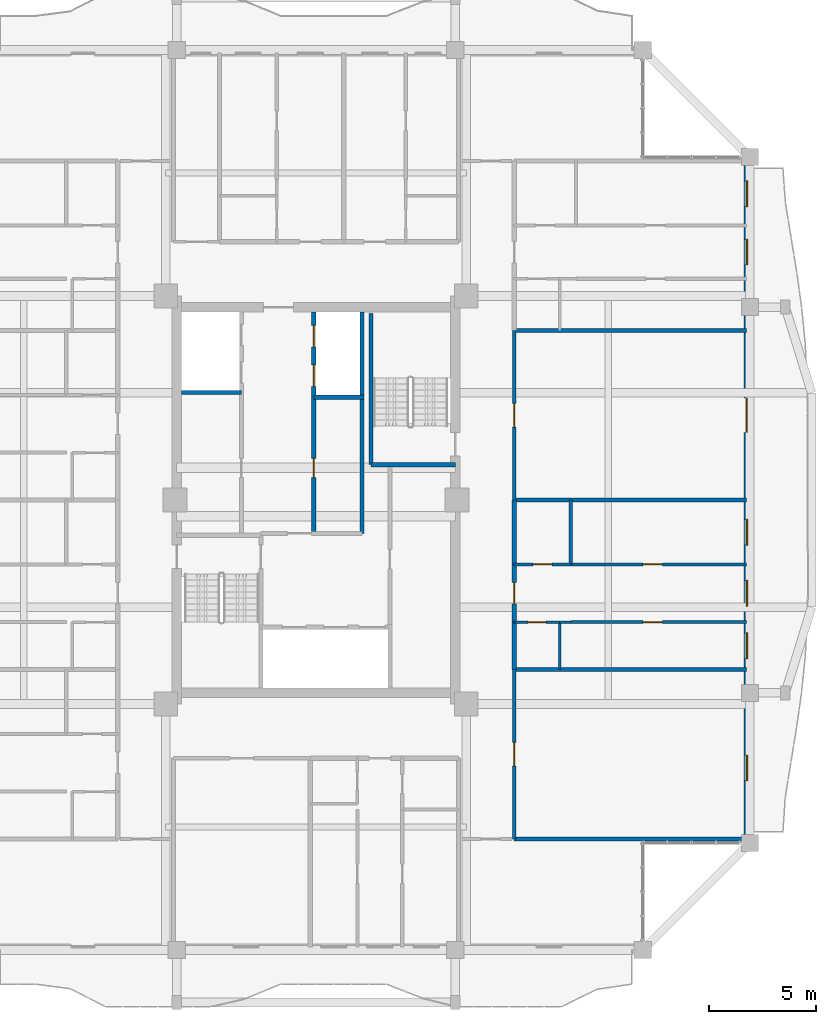
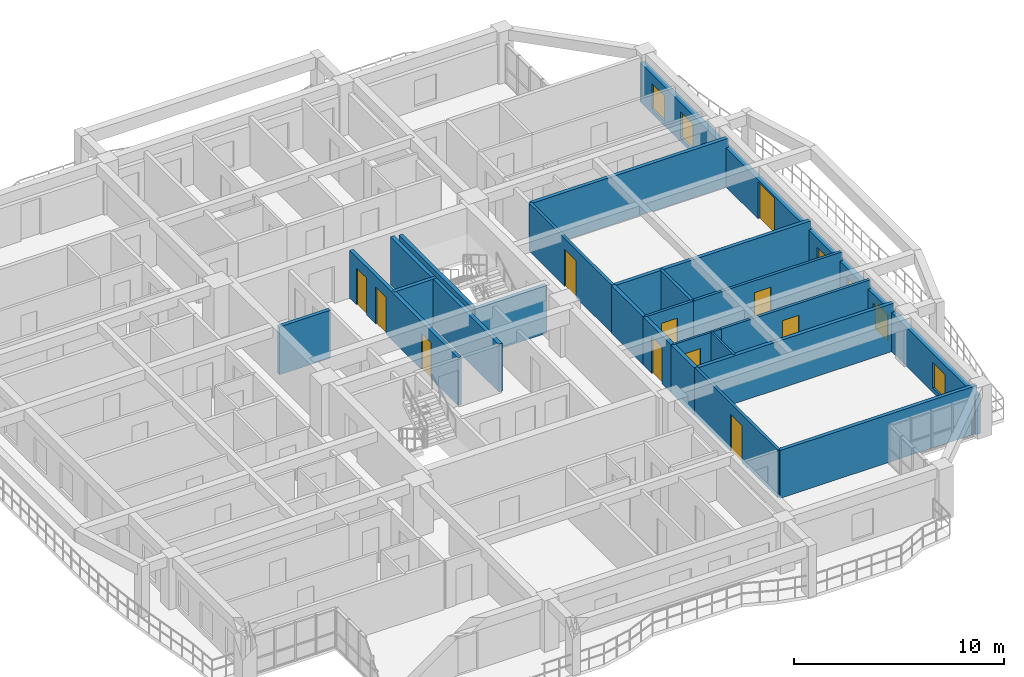
# One storey, part 13 of 21: 24 walls, 11 doors, 6 windows, 17 openings.
"""IFC4 building model written with IfcOpenShell, lengths in metres."""

from ifc_helpers import new_model, si_unit, direction, frame, frame_2d, origin, place, context, subcontext, project, spatial, rectangle, extrude, source, transform, mapped, material, layer, layer_set, type_object, element, fill, save


model = new_model("IFC4")

# Units and contexts
model_context = context("Model", 3, precision=1e-05, world=origin(), true_north=direction((0.0, 1.0)))
body_context = subcontext(model_context, "Body", "Model", "MODEL_VIEW")
ifc_project = project(units=[si_unit("LENGTHUNIT", "METRE"), si_unit("AREAUNIT", "SQUARE_METRE"), si_unit("VOLUMEUNIT", "CUBIC_METRE"), si_unit("PLANEANGLEUNIT", "RADIAN"), si_unit("MASSUNIT", "GRAM", prefix="KILO")], contexts=[model_context])

# Site, building, storey
site_placement = place(None, origin())
site = spatial("IfcSite", under=ifc_project, at=site_placement, CompositionType="ELEMENT")
building_placement = place(site_placement, origin())
building = spatial("IfcBuilding", under=site, at=building_placement, Name="Saelheon Loggia Tower", CompositionType="ELEMENT")
storey_placement = place(building_placement, frame((0.0, 0.0, 186.699951171875)))
storey = spatial("IfcBuildingStorey", under=building, at=storey_placement, Name="L58", CompositionType="ELEMENT", Elevation=186.699951171875)

# Wall, openings, windows, door
ifc_material_1 = material(Name="Architectural Precast Concrete C40/50", Category="concrete")
ifc_layer_1 = layer(ifc_material_1, 0.280029296875)
ifc_layer_set_1 = layer_set([ifc_layer_1], Name="Architectural Precast Concrete C40/50")
wall_type_1 = type_object("IfcWallType", Name="Wall_Ext_Loggia_280", PredefinedType="SOLIDWALL", material=ifc_layer_set_1)
wall_1_placement = place(storey_placement, frame((58.110107421875, 11.0, 0.0), z_axis=(0.0, 0.0, 1.0), x_axis=(0.0, 1.0, 0.0)))
wall_1 = element("IfcWall", 1, at=wall_1_placement, inside=storey, type_object=wall_type_1, Name="L58 East Loggia Inner Wall", PredefinedType="SOLIDWALL", context=body_context, shape_type="SweptSolid", body=[
    extrude(rectangle(XDim=32.0, YDim=0.280029296875, at=frame_2d((16.0, 0.0))), origin(), (0.0, 0.0, 1.0), 2.280029296875),
])
opening_1_placement = place(wall_1_placement, frame((2.89990234375, 0.0, 0.25)))
opening_1 = element("IfcOpeningElement", 2, at=opening_1_placement, cuts=wall_1, Name="Opening WN-03", PredefinedType="OPENING", context=body_context, shape_type="SweptSolid", body=[
    extrude(rectangle(XDim=1.199951171875, YDim=1.5, at=frame_2d((0.60009765625, 0.75))), frame((0.0, 0.152099609375, 0.0), z_axis=(0.0, -1.0, 0.0), x_axis=(1.0, 0.0, 0.0)), (0.0, 0.0, 1.0), 0.303955078125),
])
opening_2_placement = place(wall_1_placement, frame((8.597412109375, 0.0, 0.25)))
opening_2 = element("IfcOpeningElement", 3, at=opening_2_placement, cuts=wall_1, Name="Opening WN-03", PredefinedType="OPENING", context=body_context, shape_type="SweptSolid", body=[
    extrude(rectangle(XDim=1.199951171875, YDim=1.5, at=frame_2d((0.60009765625, 0.75))), frame((0.0, 0.152099609375, 0.0), z_axis=(0.0, -1.0, 0.0), x_axis=(1.0, 0.0, 0.0)), (0.0, 0.0, 1.0), 0.303955078125),
])
opening_3_placement = place(wall_1_placement, frame((11.049560546875, 0.0, 0.25)))
opening_3 = element("IfcOpeningElement", 4, at=opening_3_placement, cuts=wall_1, Name="Opening WN-03", PredefinedType="OPENING", context=body_context, shape_type="SweptSolid", body=[
    extrude(rectangle(XDim=1.199951171875, YDim=1.5, at=frame_2d((0.60009765625, 0.75))), frame((0.0, 0.152099609375, 0.0), z_axis=(0.0, -1.0, 0.0), x_axis=(1.0, 0.0, 0.0)), (0.0, 0.0, 1.0), 0.303955078125),
])
opening_4_placement = place(wall_1_placement, frame((13.897216796875, 0.0, 0.25)))
opening_4 = element("IfcOpeningElement", 5, at=opening_4_placement, cuts=wall_1, Name="Opening WN-03", PredefinedType="OPENING", context=body_context, shape_type="SweptSolid", body=[
    extrude(rectangle(XDim=1.199951171875, YDim=1.5, at=frame_2d((0.60009765625, 0.75))), frame((0.0, 0.152099609375, 0.0), z_axis=(0.0, -1.0, 0.0), x_axis=(1.0, 0.0, 0.0)), (0.0, 0.0, 1.0), 0.303955078125),
])
opening_5_placement = place(wall_1_placement, frame((20.755126953125, 0.0, 0.0), z_axis=(0.0, 0.0, 1.0), x_axis=(-1.0, 0.0, 0.0)))
opening_5 = element("IfcOpeningElement", 6, at=opening_5_placement, cuts=wall_1, Name="Opening DLG-1", PredefinedType="OPENING", context=body_context, shape_type="SweptSolid", body=[
    extrude(rectangle(XDim=1.60009765625, YDim=2.14990234375, at=frame_2d((0.800048828125, 1.074951171875))), frame((0.0, 0.152099609375, 0.0), z_axis=(0.0, -1.0, 0.0), x_axis=(1.0, 0.0, 0.0)), (0.0, 0.0, 1.0), 0.303955078125),
])
opening_6_placement = place(wall_1_placement, frame((26.967041015625, 0.0, 0.25)))
opening_6 = element("IfcOpeningElement", 7, at=opening_6_placement, cuts=wall_1, Name="Opening WN-03", PredefinedType="OPENING", context=body_context, shape_type="SweptSolid", body=[
    extrude(rectangle(XDim=1.199951171875, YDim=1.5, at=frame_2d((0.60009765625, 0.75))), frame((0.0, 0.152099609375, 0.0), z_axis=(0.0, -1.0, 0.0), x_axis=(1.0, 0.0, 0.0)), (0.0, 0.0, 1.0), 0.303955078125),
])
opening_7_placement = place(wall_1_placement, frame((29.68701171875, 0.0, 0.25)))
opening_7 = element("IfcOpeningElement", 8, at=opening_7_placement, cuts=wall_1, Name="Opening WN-03", PredefinedType="OPENING", context=body_context, shape_type="SweptSolid", body=[
    extrude(rectangle(XDim=1.199951171875, YDim=1.5, at=frame_2d((0.60009765625, 0.75))), frame((0.0, 0.152099609375, 0.0), z_axis=(0.0, -1.0, 0.0), x_axis=(1.0, 0.0, 0.0)), (0.0, 0.0, 1.0), 0.303955078125),
])
ifc_material_2 = material(Name="Thermal-Break Aluminium and Triple Low-E Glass", Category="aluminium")
window_type = type_object("IfcWindowType", Name="Win_Bedroom_1200x1500", PartitioningType="SINGLE_PANEL", PredefinedType="WINDOW", material=ifc_material_2)
shared_shape_1 = source(origin(), body_context, "Body", "SweptSolid", [
    extrude(rectangle(XDim=1.199951171875, YDim=1.5, at=frame_2d((0.60009765625, 0.75))), frame((0.0, 0.030029296875, 0.0), z_axis=(0.0, -1.0, 0.0), x_axis=(1.0, 0.0, 0.0)), (0.0, 0.0, 1.0), 0.06005859375),
])
window_1_placement = place(opening_1_placement, origin())
window_1 = element("IfcWindow", 9, at=window_1_placement, inside=storey, type_object=window_type, Name="L58 E Dwelling Window 1", OverallHeight=1.5, OverallWidth=1.199951171875, PartitioningType="SINGLE_PANEL", PredefinedType="WINDOW", context=body_context, shape_type="MappedRepresentation", body=[
    mapped(shared_shape_1, transform((0.0, 0.0, 0.0), scale=1.0)),
])
fill(opening_1, window_1)
window_2_placement = place(opening_2_placement, origin())
window_2 = element("IfcWindow", 10, at=window_2_placement, inside=storey, type_object=window_type, Name="L58 E Dwelling Window 2", OverallHeight=1.5, OverallWidth=1.199951171875, PartitioningType="SINGLE_PANEL", PredefinedType="WINDOW", context=body_context, shape_type="MappedRepresentation", body=[
    mapped(shared_shape_1, transform((0.0, 0.0, 0.0), scale=1.0)),
])
fill(opening_2, window_2)
window_3_placement = place(opening_3_placement, origin())
window_3 = element("IfcWindow", 11, at=window_3_placement, inside=storey, type_object=window_type, Name="L58 E Dwelling Window 3", OverallHeight=1.5, OverallWidth=1.199951171875, PartitioningType="SINGLE_PANEL", PredefinedType="WINDOW", context=body_context, shape_type="MappedRepresentation", body=[
    mapped(shared_shape_1, transform((0.0, 0.0, 0.0), scale=1.0)),
])
fill(opening_3, window_3)
window_4_placement = place(opening_4_placement, origin())
window_4 = element("IfcWindow", 12, at=window_4_placement, inside=storey, type_object=window_type, Name="L58 E Dwelling Window 4", OverallHeight=1.5, OverallWidth=1.199951171875, PartitioningType="SINGLE_PANEL", PredefinedType="WINDOW", context=body_context, shape_type="MappedRepresentation", body=[
    mapped(shared_shape_1, transform((0.0, 0.0, 0.0), scale=1.0)),
])
fill(opening_4, window_4)
window_5_placement = place(opening_6_placement, origin())
window_5 = element("IfcWindow", 13, at=window_5_placement, inside=storey, type_object=window_type, Name="L58 E Dwelling Window 6", OverallHeight=1.5, OverallWidth=1.199951171875, PartitioningType="SINGLE_PANEL", PredefinedType="WINDOW", context=body_context, shape_type="MappedRepresentation", body=[
    mapped(shared_shape_1, transform((0.0, 0.0, 0.0), scale=1.0)),
])
fill(opening_6, window_5)
window_6_placement = place(opening_7_placement, origin())
window_6 = element("IfcWindow", 14, at=window_6_placement, inside=storey, type_object=window_type, Name="L58 E Dwelling Window 7", OverallHeight=1.5, OverallWidth=1.199951171875, PartitioningType="SINGLE_PANEL", PredefinedType="WINDOW", context=body_context, shape_type="MappedRepresentation", body=[
    mapped(shared_shape_1, transform((0.0, 0.0, 0.0), scale=1.0)),
])
fill(opening_7, window_6)
ifc_material_3 = material(Name="Thermal-Break Aluminium Sliding Glazed Door", Category="aluminium")
door_type_1 = type_object("IfcDoorType", Name="Door_LoggiaSlide_1600", OperationType="SLIDING_TO_LEFT", PredefinedType="DOOR", material=ifc_material_3)
shared_shape_2 = source(origin(), body_context, "Body", "SweptSolid", [
    extrude(rectangle(XDim=1.60009765625, YDim=2.14990234375, at=frame_2d((0.800048828125, 1.074951171875))), frame((0.0, 0.02490234375, 0.0), z_axis=(0.0, -1.0, 0.0), x_axis=(1.0, 0.0, 0.0)), (0.0, 0.0, 1.0), 0.050048828125),
])
door_1_placement = place(opening_5_placement, origin())
door_1 = element("IfcDoor", 15, at=door_1_placement, inside=storey, type_object=door_type_1, Name="L58 E Loggia Access Door", OperationType="SLIDING_TO_LEFT", OverallHeight=2.14990234375, OverallWidth=1.60009765625, PredefinedType="DOOR", context=body_context, shape_type="MappedRepresentation", body=[
    mapped(shared_shape_2, transform((0.0, 0.0, 0.0), scale=1.0)),
])
fill(opening_5, door_1)

# Wall, opening, door
ifc_material_4 = material(Name="Lightweight Autoclaved Aerated Concrete Block and Acoustic Gypsum", Category="concrete")
ifc_layer_2 = layer(ifc_material_4, 0.14990234375)
ifc_layer_set_2 = layer_set([ifc_layer_2], Name="Lightweight Autoclaved Aerated Concrete Block and Acoustic Gypsum")
wall_type_2 = type_object("IfcWallType", Name="Wall_Part_150", PredefinedType="PARTITIONING", material=ifc_layer_set_2)
wall_2_placement = place(storey_placement, frame((47.25, 11.179931640625, 0.0), z_axis=(0.0, 0.0, 1.0), x_axis=(0.0, 1.0, 0.0)))
wall_2 = element("IfcWall", 16, at=wall_2_placement, inside=storey, type_object=wall_type_2, Name="L58 E Partition V03", PredefinedType="PARTITIONING", context=body_context, shape_type="SweptSolid", body=[
    extrude(rectangle(XDim=7.91015625, YDim=0.14990234375, at=frame_2d((3.955078125, 0.0))), origin(), (0.0, 0.0, 1.0), 2.7900390625),
])
opening_8_placement = place(wall_2_placement, frame((3.405029296875, 0.0, 0.0)))
opening_8 = element("IfcOpeningElement", 17, at=opening_8_placement, cuts=wall_2, Name="Opening D-FD2", PredefinedType="OPENING", context=body_context, shape_type="SweptSolid", body=[
    extrude(rectangle(XDim=1.10009765625, YDim=2.14990234375, at=frame_2d((0.550048828125, 1.074951171875))), frame((0.0, 0.0869140625, 0.0), z_axis=(0.0, -1.0, 0.0), x_axis=(1.0, 0.0, 0.0)), (0.0, 0.0, 1.0), 0.173828125),
])
ifc_material_5 = material(Name="Galvanised Steel Fire Door", Category="steel")
door_type_2 = type_object("IfcDoorType", Name="Door_Fire_FD60_1100", OperationType="NOTDEFINED", PredefinedType="DOOR", material=ifc_material_5)
shared_shape_3 = source(origin(), body_context, "Body", "SweptSolid", [
    extrude(rectangle(XDim=1.10009765625, YDim=2.14990234375, at=frame_2d((0.550048828125, 1.074951171875))), frame((0.0, 0.02490234375, 0.0), z_axis=(0.0, -1.0, 0.0), x_axis=(1.0, 0.0, 0.0)), (0.0, 0.0, 1.0), 0.050048828125),
])
door_2_placement = place(opening_8_placement, origin())
door_2 = element("IfcDoor", 18, at=door_2_placement, inside=storey, type_object=door_type_2, Name="L58 Community Reading Library Door A", OperationType="SINGLE_SWING_RIGHT", OverallHeight=2.14990234375, OverallWidth=1.10009765625, PredefinedType="DOOR", context=body_context, shape_type="MappedRepresentation", body=[
    mapped(shared_shape_3, transform((0.0, 0.0, 0.0), scale=1.0)),
])
fill(opening_8, door_2)

# Wall
wall_3_placement = place(storey_placement, frame((49.889892578125, 23.994140625, 0.0), z_axis=(0.0, 0.0, 1.0), x_axis=(0.0, 1.0, 0.0)))
element("IfcWall", 19, at=wall_3_placement, inside=storey, type_object=wall_type_2, Name="L58 E Partition V09", PredefinedType="PARTITIONING", context=body_context, shape_type="SweptSolid", body=[
    extrude(rectangle(XDim=3.005859375, YDim=0.14990234375, at=frame_2d((1.5029296875, 0.0))), origin(), (0.0, 0.0, 1.0), 2.7900390625),
])

# Wall, opening, door
wall_4_placement = place(storey_placement, frame((49.889892578125, 21.3046875, 0.0), z_axis=(0.0, 0.0, 1.0), x_axis=(1.0, 0.0, 0.0)))
wall_4 = element("IfcWall", 20, at=wall_4_placement, inside=storey, type_object=wall_type_2, Name="L58 E Partition U12", PredefinedType="PARTITIONING", context=body_context, shape_type="SweptSolid", body=[
    extrude(rectangle(XDim=8.210205078125, YDim=0.14990234375, at=frame_2d((4.10498046875, 0.0))), origin(), (0.0, 0.0, 1.0), 2.7900390625),
])
opening_9_placement = place(wall_4_placement, frame((3.370361328125, 0.0, 0.0)))
opening_9 = element("IfcOpeningElement", 21, at=opening_9_placement, cuts=wall_4, Name="Opening D-IN2", PredefinedType="OPENING", context=body_context, shape_type="SweptSolid", body=[
    extrude(rectangle(XDim=0.89990234375, YDim=2.10009765625, at=frame_2d((0.449951171875, 1.050048828125))), frame((0.0, 0.0869140625, 0.0), z_axis=(0.0, -1.0, 0.0), x_axis=(1.0, 0.0, 0.0)), (0.0, 0.0, 1.0), 0.173828125),
])
ifc_material_6 = material(Name="Engineered Oak Flush Door", Category="timber")
door_type_3 = type_object("IfcDoorType", Name="Door_Int_900", OperationType="NOTDEFINED", PredefinedType="DOOR", material=ifc_material_6)
shared_shape_4 = source(origin(), body_context, "Body", "SweptSolid", [
    extrude(rectangle(XDim=0.89990234375, YDim=2.10009765625, at=frame_2d((0.449951171875, 1.050048828125))), frame((0.0, 0.02490234375, 0.0), z_axis=(0.0, -1.0, 0.0), x_axis=(1.0, 0.0, 0.0)), (0.0, 0.0, 1.0), 0.050048828125),
])
door_3_placement = place(opening_9_placement, origin())
door_3 = element("IfcDoor", 22, at=door_3_placement, inside=storey, type_object=door_type_3, Name="Unit U08 Kitchen Door", OperationType="SINGLE_SWING_LEFT", OverallHeight=2.10009765625, OverallWidth=0.89990234375, PredefinedType="DOOR", context=body_context, shape_type="MappedRepresentation", body=[
    mapped(shared_shape_4, transform((0.0, 0.0, 0.0), scale=1.0)),
])
fill(opening_9, door_3)

wall_5_placement = place(storey_placement, frame((47.25, 23.994140625, 0.0), z_axis=(0.0, 0.0, 1.0), x_axis=(1.0, 0.0, 0.0)))
wall_5 = element("IfcWall", 23, at=wall_5_placement, inside=storey, type_object=wall_type_2, Name="L58 E Partition U13", PredefinedType="PARTITIONING", context=body_context, shape_type="SweptSolid", body=[
    extrude(rectangle(XDim=2.639892578125, YDim=0.14990234375, at=frame_2d((1.31982421875, 0.0))), origin(), (0.0, 0.0, 1.0), 2.7900390625),
])
opening_10_placement = place(wall_5_placement, frame((0.8701171875, 0.0, 0.0)))
opening_10 = element("IfcOpeningElement", 24, at=opening_10_placement, cuts=wall_5, Name="Opening D-IN2", PredefinedType="OPENING", context=body_context, shape_type="SweptSolid", body=[
    extrude(rectangle(XDim=0.89990234375, YDim=2.10009765625, at=frame_2d((0.449951171875, 1.050048828125))), frame((0.0, 0.0869140625, 0.0), z_axis=(0.0, -1.0, 0.0), x_axis=(1.0, 0.0, 0.0)), (0.0, 0.0, 1.0), 0.173828125),
])
door_4_placement = place(opening_10_placement, origin())
door_4 = element("IfcDoor", 25, at=door_4_placement, inside=storey, type_object=door_type_3, Name="Unit U08 Dressing Closet Door", OperationType="SINGLE_SWING_RIGHT", OverallHeight=2.10009765625, OverallWidth=0.89990234375, PredefinedType="DOOR", context=body_context, shape_type="MappedRepresentation", body=[
    mapped(shared_shape_4, transform((0.0, 0.0, 0.0), scale=1.0)),
])
fill(opening_10, door_4)

wall_6_placement = place(storey_placement, frame((49.889892578125, 23.994140625, 0.0), z_axis=(0.0, 0.0, 1.0), x_axis=(1.0, 0.0, 0.0)))
wall_6 = element("IfcWall", 26, at=wall_6_placement, inside=storey, type_object=wall_type_2, Name="L58 E Partition U14", PredefinedType="PARTITIONING", context=body_context, shape_type="SweptSolid", body=[
    extrude(rectangle(XDim=8.210205078125, YDim=0.14990234375, at=frame_2d((4.10498046875, 0.0))), origin(), (0.0, 0.0, 1.0), 2.7900390625),
])
opening_11_placement = place(wall_6_placement, frame((3.370361328125, 0.0, 0.0)))
opening_11 = element("IfcOpeningElement", 27, at=opening_11_placement, cuts=wall_6, Name="Opening D-IN2", PredefinedType="OPENING", context=body_context, shape_type="SweptSolid", body=[
    extrude(rectangle(XDim=0.89990234375, YDim=2.10009765625, at=frame_2d((0.449951171875, 1.050048828125))), frame((0.0, 0.0869140625, 0.0), z_axis=(0.0, -1.0, 0.0), x_axis=(1.0, 0.0, 0.0)), (0.0, 0.0, 1.0), 0.173828125),
])
door_5_placement = place(opening_11_placement, origin())
door_5 = element("IfcDoor", 28, at=door_5_placement, inside=storey, type_object=door_type_3, Name="Unit U08 Bedroom 1 Door", OperationType="SINGLE_SWING_LEFT", OverallHeight=2.10009765625, OverallWidth=0.89990234375, PredefinedType="DOOR", context=body_context, shape_type="MappedRepresentation", body=[
    mapped(shared_shape_4, transform((0.0, 0.0, 0.0), scale=1.0)),
])
fill(opening_11, door_5)

wall_7_placement = place(storey_placement, frame((47.25, 27.0, 0.0), z_axis=(0.0, 0.0, 1.0), x_axis=(0.0, 1.0, 0.0)))
wall_7 = element("IfcWall", 29, at=wall_7_placement, inside=storey, type_object=wall_type_2, Name="L58 E Partition V16", PredefinedType="PARTITIONING", context=body_context, shape_type="SweptSolid", body=[
    extrude(rectangle(XDim=7.909912109375, YDim=0.14990234375, at=frame_2d((3.955078125, 0.0))), origin(), (0.0, 0.0, 1.0), 2.7900390625),
])
opening_12_placement = place(wall_7_placement, frame((3.405029296875, 0.0, 0.0)))
opening_12 = element("IfcOpeningElement", 30, at=opening_12_placement, cuts=wall_7, Name="Opening D-FD2", PredefinedType="OPENING", context=body_context, shape_type="SweptSolid", body=[
    extrude(rectangle(XDim=1.10009765625, YDim=2.14990234375, at=frame_2d((0.550048828125, 1.074951171875))), frame((0.0, 0.0869140625, 0.0), z_axis=(0.0, -1.0, 0.0), x_axis=(1.0, 0.0, 0.0)), (0.0, 0.0, 1.0), 0.173828125),
])
door_6_placement = place(opening_12_placement, origin())
door_6 = element("IfcDoor", 31, at=door_6_placement, inside=storey, type_object=door_type_2, Name="L58 Community Reading Library Door A", OperationType="SINGLE_SWING_RIGHT", OverallHeight=2.14990234375, OverallWidth=1.10009765625, PredefinedType="DOOR", context=body_context, shape_type="MappedRepresentation", body=[
    mapped(shared_shape_3, transform((0.0, 0.0, 0.0), scale=1.0)),
])
fill(opening_12, door_6)

# Walls
ifc_material_7 = material(Name="Double Acoustic Stud and Fireboard Partition", Category="gypsum")
ifc_layer_3 = layer(ifc_material_7, 0.199951171875)
ifc_layer_set_3 = layer_set([ifc_layer_3], Name="Double Acoustic Stud and Fireboard Partition")
wall_type_3 = type_object("IfcWallType", Name="Wall_Party_200", PredefinedType="PARTITIONING", material=ifc_layer_set_3)
for number, where, z_axis, x_axis, name in (
    (32, (47.25, 11.179931640625, 0.0), (0.0, 0.0, 1.0), (1.0, 0.0, 0.0), "L58 E Partition U01"),
    (33, (47.25, 19.090087890625, 0.0), (0.0, 0.0, 1.0), (1.0, 0.0, 0.0), "L58 E Partition U04"),
):
    element("IfcWall", number, at=place(storey_placement, frame(where, z_axis=z_axis, x_axis=x_axis)), inside=storey, type_object=wall_type_3, Name=name, PredefinedType="PARTITIONING", context=body_context, shape_type="SweptSolid", body=[
        extrude(rectangle(XDim=10.85009765625, YDim=0.199951171875, at=frame_2d((5.425048828125, 0.0))), origin(), (0.0, 0.0, 1.0), 2.7900390625),
    ])
wall_8_placement = place(storey_placement, frame((47.25, 19.090087890625, 0.0), z_axis=(0.0, 0.0, 1.0), x_axis=(0.0, 1.0, 0.0)))
element("IfcWall", 34, at=wall_8_placement, inside=storey, type_object=wall_type_3, Name="L58 E Partition V05", PredefinedType="PARTITIONING", context=body_context, shape_type="SweptSolid", body=[
    extrude(rectangle(XDim=2.214599609375, YDim=0.199951171875, at=frame_2d((1.107421875, 0.0))), origin(), (0.0, 0.0, 1.0), 2.7900390625),
])

# Wall, opening, door
wall_9_placement = place(storey_placement, frame((47.25, 21.3046875, 0.0), z_axis=(0.0, 0.0, 1.0), x_axis=(0.0, 1.0, 0.0)))
wall_9 = element("IfcWall", 35, at=wall_9_placement, inside=storey, type_object=wall_type_3, Name="L58 E Partition V06", PredefinedType="PARTITIONING", context=body_context, shape_type="SweptSolid", body=[
    extrude(rectangle(XDim=2.689453125, YDim=0.199951171875, at=frame_2d((1.3447265625, 0.0))), origin(), (0.0, 0.0, 1.0), 2.7900390625),
])
opening_13_placement = place(wall_9_placement, frame((0.8447265625, 0.0, 0.0)))
opening_13 = element("IfcOpeningElement", 36, at=opening_13_placement, cuts=wall_9, Name="Opening D-FD1", PredefinedType="OPENING", context=body_context, shape_type="SweptSolid", body=[
    extrude(rectangle(XDim=1.0, YDim=2.14990234375, at=frame_2d((0.5, 1.074951171875))), frame((0.0, 0.112060546875, 0.0), z_axis=(0.0, -1.0, 0.0), x_axis=(1.0, 0.0, 0.0)), (0.0, 0.0, 1.0), 0.223876953125),
])
ifc_material_8 = material(Name="Fire-Rated Engineered Timber Entrance Door", Category="wood")
door_type_4 = type_object("IfcDoorType", Name="Door_Flat_FD30S", OperationType="NOTDEFINED", PredefinedType="DOOR", material=ifc_material_8)
shared_shape_5 = source(origin(), body_context, "Body", "SweptSolid", [
    extrude(rectangle(XDim=1.0, YDim=2.14990234375, at=frame_2d((0.5, 1.074951171875))), frame((0.0, 0.02490234375, 0.0), z_axis=(0.0, -1.0, 0.0), x_axis=(1.0, 0.0, 0.0)), (0.0, 0.0, 1.0), 0.050048828125),
])
door_7_placement = place(opening_13_placement, origin())
door_7 = element("IfcDoor", 37, at=door_7_placement, inside=storey, type_object=door_type_4, Name="Unit U08 Entrance Door", OperationType="SINGLE_SWING_LEFT", OverallHeight=2.14990234375, OverallWidth=1.0, PredefinedType="DOOR", context=body_context, shape_type="MappedRepresentation", body=[
    mapped(shared_shape_5, transform((0.0, 0.0, 0.0), scale=1.0)),
])
fill(opening_13, door_7)

# Walls
wall_10_placement = place(storey_placement, frame((47.25, 23.994140625, 0.0), z_axis=(0.0, 0.0, 1.0), x_axis=(0.0, 1.0, 0.0)))
element("IfcWall", 38, at=wall_10_placement, inside=storey, type_object=wall_type_3, Name="L58 E Partition V07", PredefinedType="PARTITIONING", context=body_context, shape_type="SweptSolid", body=[
    extrude(rectangle(XDim=3.005859375, YDim=0.199951171875, at=frame_2d((1.5029296875, 0.0))), origin(), (0.0, 0.0, 1.0), 2.7900390625),
])
for number, where, z_axis, x_axis, name in (
    (39, (47.25, 27.0, 0.0), (0.0, 0.0, 1.0), (1.0, 0.0, 0.0), "L58 E Partition U15"),
    (40, (47.25, 34.909912109375, 0.0), (0.0, 0.0, 1.0), (1.0, 0.0, 0.0), "L58 E Partition U17"),
):
    element("IfcWall", number, at=place(storey_placement, frame(where, z_axis=z_axis, x_axis=x_axis)), inside=storey, type_object=wall_type_3, Name=name, PredefinedType="PARTITIONING", context=body_context, shape_type="SweptSolid", body=[
        extrude(rectangle(XDim=10.85009765625, YDim=0.199951171875, at=frame_2d((5.425048828125, 0.0))), origin(), (0.0, 0.0, 1.0), 2.7900390625),
    ])
ifc_material_9 = material(Name="Concrete C40/50", Category="concrete")
ifc_layer_4 = layer(ifc_material_9, 0.199951171875)
ifc_layer_set_4 = layer_set([ifc_layer_4], Name="Concrete C40/50")
wall_type_4 = type_object("IfcWallType", Name="Wall_Shaft_200", PredefinedType="PARTITIONING", material=ifc_layer_set_4)
wall_11_placement = place(storey_placement, frame((40.14990234375, 25.43994140625, 0.0), z_axis=(0.0, 0.0, 1.0), x_axis=(0.0, 1.0, 0.0)))
element("IfcWall", 41, at=wall_11_placement, inside=storey, type_object=wall_type_4, Name="L58 Core Service Passage West Wall", PredefinedType="PARTITIONING", context=body_context, shape_type="SweptSolid", body=[
    extrude(rectangle(XDim=6.360107421875, YDim=0.199951171875, at=frame_2d((3.18017578125, 0.0))), origin(), (0.0, 0.0, 1.0), 2.7900390625),
])
wall_12_placement = place(storey_placement, frame((40.14990234375, 31.800048828125, 0.0), z_axis=(0.0, 0.0, 1.0), x_axis=(0.0, 1.0, 0.0)))
element("IfcWall", 42, at=wall_12_placement, inside=storey, type_object=wall_type_4, Name="L58 East High-Rise Hoistway East Wall", PredefinedType="PARTITIONING", context=body_context, shape_type="SweptSolid", body=[
    extrude(rectangle(XDim=3.97998046875, YDim=0.199951171875, at=frame_2d((1.989990234375, 0.0))), origin(), (0.0, 0.0, 1.0), 2.7900390625),
])
wall_13_placement = place(storey_placement, frame((31.719970703125, 32.02001953125, 0.0), z_axis=(0.0, 0.0, 1.0), x_axis=(1.0, 0.0, 0.0)))
element("IfcWall", 43, at=wall_13_placement, inside=storey, type_object=wall_type_4, Name="L58 West High-Rise Shaft Divider", PredefinedType="PARTITIONING", context=body_context, shape_type="SweptSolid", body=[
    extrude(rectangle(XDim=2.800048828125, YDim=0.199951171875, at=frame_2d((1.39990234375, 0.0))), origin(), (0.0, 0.0, 1.0), 2.7900390625),
])

# Wall, openings, doors
wall_14_placement = place(storey_placement, frame((37.89990234375, 25.43994140625, 0.0), z_axis=(0.0, 0.0, 1.0), x_axis=(0.0, 1.0, 0.0)))
wall_14 = element("IfcWall", 44, at=wall_14_placement, inside=storey, type_object=wall_type_4, Name="L58 East Passenger Lift Bank Wall", PredefinedType="PARTITIONING", context=body_context, shape_type="SweptSolid", body=[
    extrude(rectangle(XDim=10.340087890625, YDim=0.199951171875, at=frame_2d((5.169921875, 0.0))), origin(), (0.0, 0.0, 1.0), 2.7900390625),
])
opening_14_placement = place(wall_14_placement, frame((2.60009765625, 0.0, 0.0)))
opening_14 = element("IfcOpeningElement", 45, at=opening_14_placement, cuts=wall_14, Name="Opening D-RS1", PredefinedType="OPENING", context=body_context, shape_type="SweptSolid", body=[
    extrude(rectangle(XDim=0.89990234375, YDim=2.10009765625, at=frame_2d((0.449951171875, 1.050048828125))), frame((0.0, 0.112060546875, 0.0), z_axis=(0.0, -1.0, 0.0), x_axis=(1.0, 0.0, 0.0)), (0.0, 0.0, 1.0), 0.223876953125),
])
opening_15_placement = place(wall_14_placement, frame((6.860107421875, 0.0, 0.0)))
opening_15 = element("IfcOpeningElement", 46, at=opening_15_placement, cuts=wall_14, Name="Opening LD1", PredefinedType="OPENING", context=body_context, shape_type="SweptSolid", body=[
    extrude(rectangle(XDim=1.0, YDim=2.14990234375, at=frame_2d((0.5, 1.074951171875))), frame((0.0, 0.112060546875, 0.0), z_axis=(0.0, -1.0, 0.0), x_axis=(1.0, 0.0, 0.0)), (0.0, 0.0, 1.0), 0.223876953125),
])
opening_16_placement = place(wall_14_placement, frame((8.7099609375, 0.0, 0.0)))
opening_16 = element("IfcOpeningElement", 47, at=opening_16_placement, cuts=wall_14, Name="Opening LD1", PredefinedType="OPENING", context=body_context, shape_type="SweptSolid", body=[
    extrude(rectangle(XDim=1.0, YDim=2.14990234375, at=frame_2d((0.5, 1.074951171875))), frame((0.0, 0.112060546875, 0.0), z_axis=(0.0, -1.0, 0.0), x_axis=(1.0, 0.0, 0.0)), (0.0, 0.0, 1.0), 0.223876953125),
])
ifc_material_10 = material(Name="Galvanised Steel Riser Access Door", Category="steel")
door_type_5 = type_object("IfcDoorType", Name="Door_Riser_FD60", OperationType="NOTDEFINED", PredefinedType="DOOR", material=ifc_material_10)
door_8_placement = place(opening_14_placement, origin())
door_8 = element("IfcDoor", 48, at=door_8_placement, inside=storey, type_object=door_type_5, Name="L58 Upper Storage Room Door", OperationType="SINGLE_SWING_RIGHT", OverallHeight=2.10009765625, OverallWidth=0.89990234375, PredefinedType="DOOR", context=body_context, shape_type="MappedRepresentation", body=[
    mapped(shared_shape_4, transform((0.0, 0.0, 0.0), scale=1.0)),
])
fill(opening_14, door_8)
ifc_material_11 = material(Name="Brushed Stainless Steel 304 Landing Door", Category="steel")
door_type_6 = type_object("IfcDoorType", Name="Door_Lift_LD1", OperationType="DOUBLE_DOOR_SLIDING", PredefinedType="DOOR", material=ifc_material_11)
door_9_placement = place(opening_15_placement, origin())
door_9 = element("IfcDoor", 49, at=door_9_placement, inside=storey, type_object=door_type_6, Name="L58 PH3 Landing Door", OperationType="DOUBLE_DOOR_SLIDING", OverallHeight=2.14990234375, OverallWidth=1.0, PredefinedType="DOOR", context=body_context, shape_type="MappedRepresentation", body=[
    mapped(shared_shape_5, transform((0.0, 0.0, 0.0), scale=1.0)),
])
fill(opening_15, door_9)
door_10_placement = place(opening_16_placement, origin())
door_10 = element("IfcDoor", 50, at=door_10_placement, inside=storey, type_object=door_type_6, Name="L58 PH4 Landing Door", OperationType="DOUBLE_DOOR_SLIDING", OverallHeight=2.14990234375, OverallWidth=1.0, PredefinedType="DOOR", context=body_context, shape_type="MappedRepresentation", body=[
    mapped(shared_shape_5, transform((0.0, 0.0, 0.0), scale=1.0)),
])
fill(opening_16, door_10)

# Walls
wall_15_placement = place(storey_placement, frame((37.89990234375, 31.800048828125, 0.0), z_axis=(0.0, 0.0, 1.0), x_axis=(1.0, 0.0, 0.0)))
element("IfcWall", 51, at=wall_15_placement, inside=storey, type_object=wall_type_4, Name="L58 East High-Rise Shaft Divider", PredefinedType="PARTITIONING", context=body_context, shape_type="SweptSolid", body=[
    extrude(rectangle(XDim=2.35009765625, YDim=0.199951171875, at=frame_2d((1.175048828125, 0.0))), origin(), (0.0, 0.0, 1.0), 2.7900390625),
])
ifc_material_12 = material(Name="Concrete C45/55", Category="concrete")
ifc_layer_5 = layer(ifc_material_12, 0.199951171875)
ifc_layer_set_5 = layer_set([ifc_layer_5], Name="Concrete C45/55")
wall_type_5 = type_object("IfcWallType", Name="Wall_StairShaft_RC200", PredefinedType="SOLIDWALL", material=ifc_layer_set_5)
wall_16_placement = place(storey_placement, frame((40.570068359375, 28.64990234375, 0.0), z_axis=(0.0, 0.0, 1.0), x_axis=(0.0, 1.0, 0.0)))
element("IfcWall", 52, at=wall_16_placement, inside=storey, type_object=wall_type_5, Name="L58 Stair ST2 Shaft Wall", PredefinedType="SOLIDWALL", context=body_context, shape_type="SweptSolid", body=[
    extrude(rectangle(XDim=7.050048828125, YDim=0.199951171875, at=frame_2d((3.52490234375, 0.0))), origin(), (0.0, 0.0, 1.0), 2.7900390625),
])
wall_17_placement = place(storey_placement, frame((40.570068359375, 28.64990234375, 0.0), z_axis=(0.0, 0.0, 1.0), x_axis=(1.0, 0.0, 0.0)))
element("IfcWall", 53, at=wall_17_placement, inside=storey, type_object=wall_type_5, Name="L58 Stair ST2 South Wall", PredefinedType="SOLIDWALL", context=body_context, shape_type="SweptSolid", body=[
    extrude(rectangle(XDim=3.929931640625, YDim=0.199951171875, at=frame_2d((1.96484375, 0.0))), origin(), (0.0, 0.0, 1.0), 2.7900390625),
])
ifc_material_13 = material(Name="Moisture-Resistant Cement Board Partition", Category="gypsum")
ifc_layer_6 = layer(ifc_material_13, 0.1201171875)
ifc_layer_set_6 = layer_set([ifc_layer_6], Name="Moisture-Resistant Cement Board Partition")
wall_type_6 = type_object("IfcWallType", Name="Wall_WetPart_120", PredefinedType="PARTITIONING", material=ifc_layer_set_6)
wall_18_placement = place(storey_placement, frame((49.3701171875, 19.090087890625, 0.0), z_axis=(0.0, 0.0, 1.0), x_axis=(0.0, 1.0, 0.0)))
element("IfcWall", 54, at=wall_18_placement, inside=storey, type_object=wall_type_6, Name="L58 E Partition V08", PredefinedType="PARTITIONING", context=body_context, shape_type="SweptSolid", body=[
    extrude(rectangle(XDim=2.214599609375, YDim=0.1201171875, at=frame_2d((1.107421875, 0.0))), origin(), (0.0, 0.0, 1.0), 2.7900390625),
])

# Wall, opening, door
wall_19_placement = place(storey_placement, frame((47.25, 21.3046875, 0.0), z_axis=(0.0, 0.0, 1.0), x_axis=(1.0, 0.0, 0.0)))
wall_19 = element("IfcWall", 55, at=wall_19_placement, inside=storey, type_object=wall_type_6, Name="L58 E Partition U10", PredefinedType="PARTITIONING", context=body_context, shape_type="SweptSolid", body=[
    extrude(rectangle(XDim=2.1201171875, YDim=0.1201171875, at=frame_2d((1.06005859375, 0.0))), origin(), (0.0, 0.0, 1.0), 2.7900390625),
])
opening_17_placement = place(wall_19_placement, frame((0.635009765625, 0.0, 0.0)))
opening_17 = element("IfcOpeningElement", 56, at=opening_17_placement, cuts=wall_19, Name="Opening D-BT1", PredefinedType="OPENING", context=body_context, shape_type="SweptSolid", body=[
    extrude(rectangle(XDim=0.85009765625, YDim=2.050048828125, at=frame_2d((0.425048828125, 1.02490234375))), frame((0.0, 0.072021484375, 0.0), z_axis=(0.0, -1.0, 0.0), x_axis=(1.0, 0.0, 0.0)), (0.0, 0.0, 1.0), 0.14404296875),
])
ifc_material_14 = material(Name="Moisture-Resistant Laminate Timber Door", Category="wood")
door_type_7 = type_object("IfcDoorType", Name="Door_Bath_850", OperationType="NOTDEFINED", PredefinedType="DOOR", material=ifc_material_14)
shared_shape_6 = source(origin(), body_context, "Body", "SweptSolid", [
    extrude(rectangle(XDim=0.85009765625, YDim=2.050048828125, at=frame_2d((0.425048828125, 1.02490234375))), frame((0.0, 0.02490234375, 0.0), z_axis=(0.0, -1.0, 0.0), x_axis=(1.0, 0.0, 0.0)), (0.0, 0.0, 1.0), 0.050048828125),
])
door_11_placement = place(opening_17_placement, origin())
door_11 = element("IfcDoor", 57, at=door_11_placement, inside=storey, type_object=door_type_7, Name="Unit U08 Bathroom Door", OperationType="SINGLE_SWING_RIGHT", OverallHeight=2.050048828125, OverallWidth=0.85009765625, PredefinedType="DOOR", context=body_context, shape_type="MappedRepresentation", body=[
    mapped(shared_shape_6, transform((0.0, 0.0, 0.0), scale=1.0)),
])
fill(opening_17, door_11)

# Wall
wall_20_placement = place(storey_placement, frame((49.3701171875, 21.3046875, 0.0), z_axis=(0.0, 0.0, 1.0), x_axis=(1.0, 0.0, 0.0)))
element("IfcWall", 58, at=wall_20_placement, inside=storey, type_object=wall_type_6, Name="L58 E Partition U11", PredefinedType="PARTITIONING", context=body_context, shape_type="SweptSolid", body=[
    extrude(rectangle(XDim=0.519775390625, YDim=0.1201171875, at=frame_2d((0.259765625, 0.0))), origin(), (0.0, 0.0, 1.0), 2.7900390625),
])

save(model, "model.ifc")
